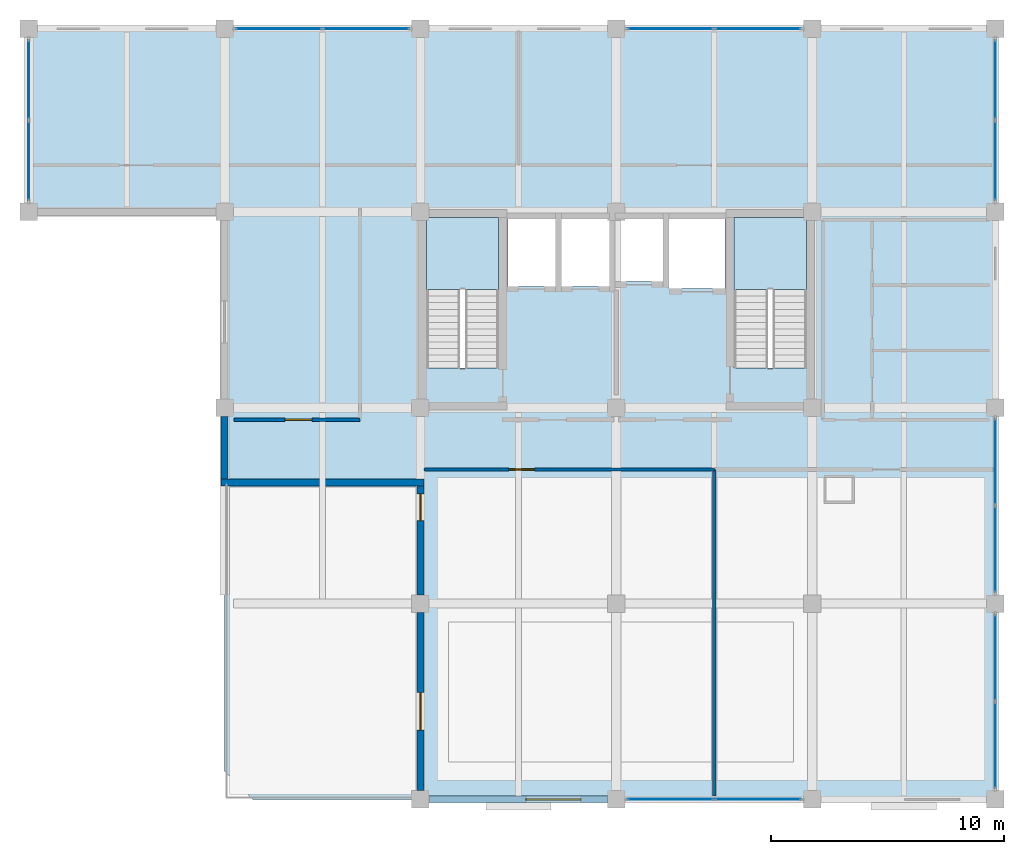
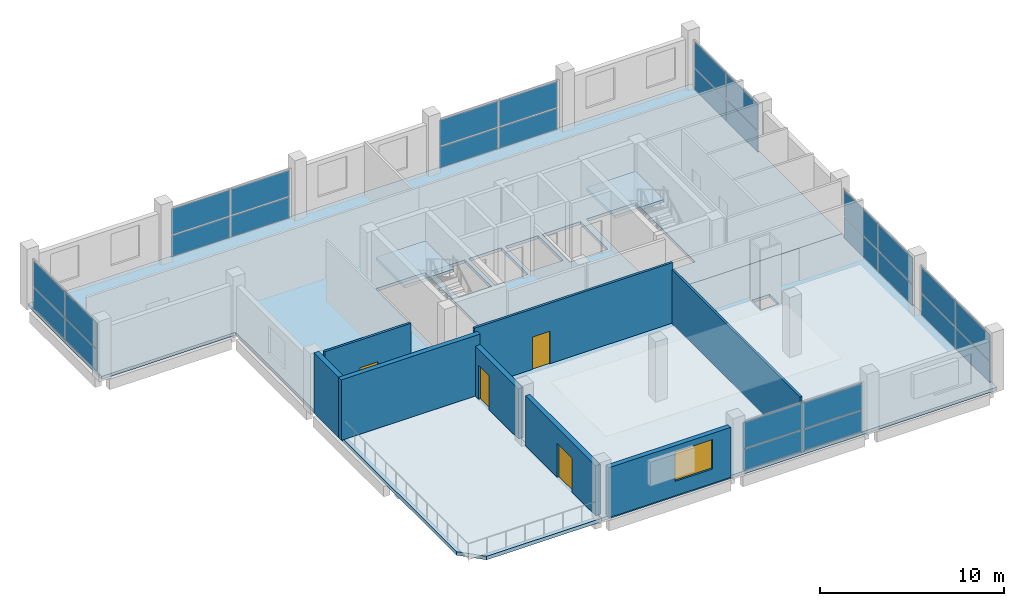
# One storey, part 6 of 10: 28 plates, 8 walls, 5 slabs, 4 doors, 1 window, 5 openings, 9 elements without a shape of their own.
"""IFC4 building model written with IfcOpenShell, lengths in metres."""

from ifc_helpers import new_model, si_unit, direction, frame, frame_2d, origin, origin_2d, place, context, subcontext, project, spatial, polyline, rectangle, outline, extrude, material, layer, layer_set, type_object, element, fill, aggregate, save


model = new_model("IFC4")

# Units and contexts
model_context = context("Model", 3, precision=1e-05, world=origin(), true_north=direction((0.0, 1.0)))
body_context = subcontext(model_context, "Body", "Model", "MODEL_VIEW")
ifc_project = project(units=[si_unit("LENGTHUNIT", "METRE"), si_unit("AREAUNIT", "SQUARE_METRE"), si_unit("VOLUMEUNIT", "CUBIC_METRE"), si_unit("PLANEANGLEUNIT", "RADIAN"), si_unit("MASSUNIT", "GRAM", prefix="KILO")], contexts=[model_context])

# Site, building, storey
site_placement = place(None, origin())
site = spatial("IfcSite", under=ifc_project, at=site_placement, CompositionType="ELEMENT")
building_placement = place(site_placement, origin())
building = spatial("IfcBuilding", under=site, at=building_placement, Name="Brinegate Botanical Conservatory", CompositionType="ELEMENT")
storey_placement = place(building_placement, frame((0.0, 0.0, 44.39990234375)))
storey = spatial("IfcBuildingStorey", under=building, at=storey_placement, Name="L11", CompositionType="ELEMENT", Elevation=44.39990234375)

# Curtain wall, plates
ifc_material_1 = material(Name="Thermally broken anodised aluminium AW-6063-T6", Category="aluminium")
curtain_wall_type = type_object("IfcCurtainWallType", Name="CW_CW-TW1", PredefinedType="USERDEFINED", material=ifc_material_1)
curtain_wall_1_placement = place(storey_placement, origin())
curtain_wall_1 = element("IfcCurtainWall", 1, at=curtain_wall_1_placement, inside=storey, type_object=curtain_wall_type, Name="Research lab north curtain wall L11.2", ObjectType="FACTORY CURTAIN WALL", PredefinedType="USERDEFINED")
ifc_material_2 = material(Name="Double-silver Low-E laminated safety glass", Category="glass")
ifc_layer_1 = layer(ifc_material_2, 0.035888671875, Name="Double-silver Low-E laminated safety glass", Category="glass")
ifc_layer_set_1 = layer_set([ifc_layer_1], Name="Double-silver Low-E laminated safety glass")
plate_type = type_object("IfcPlateType", Name="Plate_PN-36", PredefinedType="CURTAIN_PANEL", material=ifc_layer_set_1)
plate_1_placement = place(storey_placement, frame((132.72509765625, 111.449951171875, 0.0703125), z_axis=(0.0, 0.0, 1.0), x_axis=(1.0, 0.0, 0.0)))
plate_1 = element("IfcPlate", 2, at=plate_1_placement, type_object=plate_type, Name="CW-TW1 panel 1.1", PredefinedType="CURTAIN_PANEL", context=body_context, shape_type="SweptSolid", body=[
    extrude(rectangle(XDim=3.679931640625, YDim=0.035888671875, at=origin_2d()), origin(), (0.0, 0.0, 1.0), 1.384033203125),
])
plate_2_placement = place(storey_placement, frame((132.72509765625, 111.449951171875, 1.52392578125), z_axis=(0.0, 0.0, 1.0), x_axis=(1.0, 0.0, 0.0)))
plate_2 = element("IfcPlate", 3, at=plate_2_placement, type_object=plate_type, Name="CW-TW1 panel 1.2", PredefinedType="CURTAIN_PANEL", context=body_context, shape_type="SweptSolid", body=[
    extrude(rectangle(XDim=3.679931640625, YDim=0.035888671875, at=origin_2d()), origin(), (0.0, 0.0, 1.0), 1.716064453125),
])
plate_3_placement = place(storey_placement, frame((136.47509765625, 111.449951171875, 0.0703125), z_axis=(0.0, 0.0, 1.0), x_axis=(1.0, 0.0, 0.0)))
plate_3 = element("IfcPlate", 4, at=plate_3_placement, type_object=plate_type, Name="CW-TW1 panel 2.1", PredefinedType="CURTAIN_PANEL", context=body_context, shape_type="SweptSolid", body=[
    extrude(rectangle(XDim=3.679931640625, YDim=0.035888671875, at=origin_2d()), origin(), (0.0, 0.0, 1.0), 1.384033203125),
])
plate_4_placement = place(storey_placement, frame((136.47509765625, 111.449951171875, 1.52392578125), z_axis=(0.0, 0.0, 1.0), x_axis=(1.0, 0.0, 0.0)))
plate_4 = element("IfcPlate", 5, at=plate_4_placement, type_object=plate_type, Name="CW-TW1 panel 2.2", PredefinedType="CURTAIN_PANEL", context=body_context, shape_type="SweptSolid", body=[
    extrude(rectangle(XDim=3.679931640625, YDim=0.035888671875, at=origin_2d()), origin(), (0.0, 0.0, 1.0), 1.716064453125),
])
aggregate(curtain_wall_1, [plate_1, plate_2, plate_3, plate_4])

curtain_wall_2_placement = place(storey_placement, origin())
curtain_wall_2 = element("IfcCurtainWall", 6, at=curtain_wall_2_placement, inside=storey, type_object=curtain_wall_type, Name="Research lab north curtain wall L11.4", ObjectType="FACTORY CURTAIN WALL", PredefinedType="USERDEFINED")
plate_5_placement = place(storey_placement, frame((149.52490234375, 111.449951171875, 0.0703125), z_axis=(0.0, 0.0, 1.0), x_axis=(1.0, 0.0, 0.0)))
plate_5 = element("IfcPlate", 7, at=plate_5_placement, type_object=plate_type, Name="CW-TW1 panel 1.1", PredefinedType="CURTAIN_PANEL", context=body_context, shape_type="SweptSolid", body=[
    extrude(rectangle(XDim=3.679931640625, YDim=0.035888671875, at=origin_2d()), origin(), (0.0, 0.0, 1.0), 1.384033203125),
])
plate_6_placement = place(storey_placement, frame((149.52490234375, 111.449951171875, 1.52392578125), z_axis=(0.0, 0.0, 1.0), x_axis=(1.0, 0.0, 0.0)))
plate_6 = element("IfcPlate", 8, at=plate_6_placement, type_object=plate_type, Name="CW-TW1 panel 1.2", PredefinedType="CURTAIN_PANEL", context=body_context, shape_type="SweptSolid", body=[
    extrude(rectangle(XDim=3.679931640625, YDim=0.035888671875, at=origin_2d()), origin(), (0.0, 0.0, 1.0), 1.716064453125),
])
plate_7_placement = place(storey_placement, frame((153.27490234375, 111.449951171875, 0.0703125), z_axis=(0.0, 0.0, 1.0), x_axis=(1.0, 0.0, 0.0)))
plate_7 = element("IfcPlate", 9, at=plate_7_placement, type_object=plate_type, Name="CW-TW1 panel 2.1", PredefinedType="CURTAIN_PANEL", context=body_context, shape_type="SweptSolid", body=[
    extrude(rectangle(XDim=3.679931640625, YDim=0.035888671875, at=origin_2d()), origin(), (0.0, 0.0, 1.0), 1.384033203125),
])
plate_8_placement = place(storey_placement, frame((153.27490234375, 111.449951171875, 1.52392578125), z_axis=(0.0, 0.0, 1.0), x_axis=(1.0, 0.0, 0.0)))
plate_8 = element("IfcPlate", 10, at=plate_8_placement, type_object=plate_type, Name="CW-TW1 panel 2.2", PredefinedType="CURTAIN_PANEL", context=body_context, shape_type="SweptSolid", body=[
    extrude(rectangle(XDim=3.679931640625, YDim=0.035888671875, at=origin_2d()), origin(), (0.0, 0.0, 1.0), 1.716064453125),
])
aggregate(curtain_wall_2, [plate_5, plate_6, plate_7, plate_8])

curtain_wall_3_placement = place(storey_placement, origin())
curtain_wall_3 = element("IfcCurtainWall", 11, at=curtain_wall_3_placement, inside=storey, type_object=curtain_wall_type, Name="Tower south curtain wall L11.2", ObjectType="FACTORY CURTAIN WALL", PredefinedType="USERDEFINED")
plate_9_placement = place(storey_placement, frame((153.27490234375, 78.39990234375, 0.0703125), z_axis=(0.0, 0.0, 1.0), x_axis=(-1.0, 0.0, 0.0)))
plate_9 = element("IfcPlate", 12, at=plate_9_placement, type_object=plate_type, Name="CW-TW1 panel 1.1", PredefinedType="CURTAIN_PANEL", context=body_context, shape_type="SweptSolid", body=[
    extrude(rectangle(XDim=3.679931640625, YDim=0.035888671875, at=origin_2d()), origin(), (0.0, 0.0, 1.0), 1.384033203125),
])
plate_10_placement = place(storey_placement, frame((153.27490234375, 78.39990234375, 1.52392578125), z_axis=(0.0, 0.0, 1.0), x_axis=(-1.0, 0.0, 0.0)))
plate_10 = element("IfcPlate", 13, at=plate_10_placement, type_object=plate_type, Name="CW-TW1 panel 1.2", PredefinedType="CURTAIN_PANEL", context=body_context, shape_type="SweptSolid", body=[
    extrude(rectangle(XDim=3.679931640625, YDim=0.035888671875, at=origin_2d()), origin(), (0.0, 0.0, 1.0), 1.716064453125),
])
plate_11_placement = place(storey_placement, frame((149.52490234375, 78.39990234375, 0.0703125), z_axis=(0.0, 0.0, 1.0), x_axis=(-1.0, 0.0, 0.0)))
plate_11 = element("IfcPlate", 14, at=plate_11_placement, type_object=plate_type, Name="CW-TW1 panel 2.1", PredefinedType="CURTAIN_PANEL", context=body_context, shape_type="SweptSolid", body=[
    extrude(rectangle(XDim=3.679931640625, YDim=0.035888671875, at=origin_2d()), origin(), (0.0, 0.0, 1.0), 1.384033203125),
])
plate_12_placement = place(storey_placement, frame((149.52490234375, 78.39990234375, 1.52392578125), z_axis=(0.0, 0.0, 1.0), x_axis=(-1.0, 0.0, 0.0)))
plate_12 = element("IfcPlate", 15, at=plate_12_placement, type_object=plate_type, Name="CW-TW1 panel 2.2", PredefinedType="CURTAIN_PANEL", context=body_context, shape_type="SweptSolid", body=[
    extrude(rectangle(XDim=3.679931640625, YDim=0.035888671875, at=origin_2d()), origin(), (0.0, 0.0, 1.0), 1.716064453125),
])
aggregate(curtain_wall_3, [plate_9, plate_10, plate_11, plate_12])

curtain_wall_4_placement = place(storey_placement, origin())
curtain_wall_4 = element("IfcCurtainWall", 16, at=curtain_wall_4_placement, inside=storey, type_object=curtain_wall_type, Name="Tower east curtain wall L11.1", ObjectType="FACTORY CURTAIN WALL", PredefinedType="USERDEFINED")
plate_13_placement = place(storey_placement, frame((163.449951171875, 84.47509765625, 0.0703125), z_axis=(0.0, 0.0, 1.0), x_axis=(0.0, -1.0, 0.0)))
plate_13 = element("IfcPlate", 17, at=plate_13_placement, type_object=plate_type, Name="CW-TW1 panel 1.1", PredefinedType="CURTAIN_PANEL", context=body_context, shape_type="SweptSolid", body=[
    extrude(rectangle(XDim=3.679931640625, YDim=0.035888671875, at=origin_2d()), origin(), (0.0, 0.0, 1.0), 1.384033203125),
])
plate_14_placement = place(storey_placement, frame((163.449951171875, 84.47509765625, 1.52392578125), z_axis=(0.0, 0.0, 1.0), x_axis=(0.0, -1.0, 0.0)))
plate_14 = element("IfcPlate", 18, at=plate_14_placement, type_object=plate_type, Name="CW-TW1 panel 1.2", PredefinedType="CURTAIN_PANEL", context=body_context, shape_type="SweptSolid", body=[
    extrude(rectangle(XDim=3.679931640625, YDim=0.035888671875, at=origin_2d()), origin(), (0.0, 0.0, 1.0), 1.716064453125),
])
plate_15_placement = place(storey_placement, frame((163.449951171875, 80.72509765625, 0.0703125), z_axis=(0.0, 0.0, 1.0), x_axis=(0.0, -1.0, 0.0)))
plate_15 = element("IfcPlate", 19, at=plate_15_placement, type_object=plate_type, Name="CW-TW1 panel 2.1", PredefinedType="CURTAIN_PANEL", context=body_context, shape_type="SweptSolid", body=[
    extrude(rectangle(XDim=3.679931640625, YDim=0.035888671875, at=origin_2d()), origin(), (0.0, 0.0, 1.0), 1.384033203125),
])
plate_16_placement = place(storey_placement, frame((163.449951171875, 80.72509765625, 1.52392578125), z_axis=(0.0, 0.0, 1.0), x_axis=(0.0, -1.0, 0.0)))
plate_16 = element("IfcPlate", 20, at=plate_16_placement, type_object=plate_type, Name="CW-TW1 panel 2.2", PredefinedType="CURTAIN_PANEL", context=body_context, shape_type="SweptSolid", body=[
    extrude(rectangle(XDim=3.679931640625, YDim=0.035888671875, at=origin_2d()), origin(), (0.0, 0.0, 1.0), 1.716064453125),
])
aggregate(curtain_wall_4, [plate_13, plate_14, plate_15, plate_16])

curtain_wall_5_placement = place(storey_placement, origin())
curtain_wall_5 = element("IfcCurtainWall", 21, at=curtain_wall_5_placement, inside=storey, type_object=curtain_wall_type, Name="Tower east curtain wall L11.2", ObjectType="FACTORY CURTAIN WALL", PredefinedType="USERDEFINED")
plate_17_placement = place(storey_placement, frame((163.449951171875, 92.875, 0.0703125), z_axis=(0.0, 0.0, 1.0), x_axis=(0.0, -1.0, 0.0)))
plate_17 = element("IfcPlate", 22, at=plate_17_placement, type_object=plate_type, Name="CW-TW1 panel 1.1", PredefinedType="CURTAIN_PANEL", context=body_context, shape_type="SweptSolid", body=[
    extrude(rectangle(XDim=3.679931640625, YDim=0.035888671875, at=origin_2d()), origin(), (0.0, 0.0, 1.0), 1.384033203125),
])
plate_18_placement = place(storey_placement, frame((163.449951171875, 92.875, 1.52392578125), z_axis=(0.0, 0.0, 1.0), x_axis=(0.0, -1.0, 0.0)))
plate_18 = element("IfcPlate", 23, at=plate_18_placement, type_object=plate_type, Name="CW-TW1 panel 1.2", PredefinedType="CURTAIN_PANEL", context=body_context, shape_type="SweptSolid", body=[
    extrude(rectangle(XDim=3.679931640625, YDim=0.035888671875, at=origin_2d()), origin(), (0.0, 0.0, 1.0), 1.716064453125),
])
plate_19_placement = place(storey_placement, frame((163.449951171875, 89.125, 0.0703125), z_axis=(0.0, 0.0, 1.0), x_axis=(0.0, -1.0, 0.0)))
plate_19 = element("IfcPlate", 24, at=plate_19_placement, type_object=plate_type, Name="CW-TW1 panel 2.1", PredefinedType="CURTAIN_PANEL", context=body_context, shape_type="SweptSolid", body=[
    extrude(rectangle(XDim=3.679931640625, YDim=0.035888671875, at=origin_2d()), origin(), (0.0, 0.0, 1.0), 1.384033203125),
])
plate_20_placement = place(storey_placement, frame((163.449951171875, 89.125, 1.52392578125), z_axis=(0.0, 0.0, 1.0), x_axis=(0.0, -1.0, 0.0)))
plate_20 = element("IfcPlate", 25, at=plate_20_placement, type_object=plate_type, Name="CW-TW1 panel 2.2", PredefinedType="CURTAIN_PANEL", context=body_context, shape_type="SweptSolid", body=[
    extrude(rectangle(XDim=3.679931640625, YDim=0.035888671875, at=origin_2d()), origin(), (0.0, 0.0, 1.0), 1.716064453125),
])
aggregate(curtain_wall_5, [plate_17, plate_18, plate_19, plate_20])

curtain_wall_6_placement = place(storey_placement, origin())
curtain_wall_6 = element("IfcCurtainWall", 26, at=curtain_wall_6_placement, inside=storey, type_object=curtain_wall_type, Name="Tower east curtain wall L11.4", ObjectType="FACTORY CURTAIN WALL", PredefinedType="USERDEFINED")
plate_21_placement = place(storey_placement, frame((163.449951171875, 109.262451171875, 0.0703125), z_axis=(0.0, 0.0, 1.0), x_axis=(0.0, -1.0, 0.0)))
plate_21 = element("IfcPlate", 27, at=plate_21_placement, type_object=plate_type, Name="CW-TW1 panel 1.1", PredefinedType="CURTAIN_PANEL", context=body_context, shape_type="SweptSolid", body=[
    extrude(rectangle(XDim=3.405029296875, YDim=0.035888671875, at=origin_2d()), origin(), (0.0, 0.0, 1.0), 1.384033203125),
])
plate_22_placement = place(storey_placement, frame((163.449951171875, 109.262451171875, 1.52392578125), z_axis=(0.0, 0.0, 1.0), x_axis=(0.0, -1.0, 0.0)))
plate_22 = element("IfcPlate", 28, at=plate_22_placement, type_object=plate_type, Name="CW-TW1 panel 1.2", PredefinedType="CURTAIN_PANEL", context=body_context, shape_type="SweptSolid", body=[
    extrude(rectangle(XDim=3.405029296875, YDim=0.035888671875, at=origin_2d()), origin(), (0.0, 0.0, 1.0), 1.716064453125),
])
plate_23_placement = place(storey_placement, frame((163.449951171875, 105.78759765625, 0.0703125), z_axis=(0.0, 0.0, 1.0), x_axis=(0.0, -1.0, 0.0)))
plate_23 = element("IfcPlate", 29, at=plate_23_placement, type_object=plate_type, Name="CW-TW1 panel 2.1", PredefinedType="CURTAIN_PANEL", context=body_context, shape_type="SweptSolid", body=[
    extrude(rectangle(XDim=3.405029296875, YDim=0.035888671875, at=origin_2d()), origin(), (0.0, 0.0, 1.0), 1.384033203125),
])
plate_24_placement = place(storey_placement, frame((163.449951171875, 105.78759765625, 1.52392578125), z_axis=(0.0, 0.0, 1.0), x_axis=(0.0, -1.0, 0.0)))
plate_24 = element("IfcPlate", 30, at=plate_24_placement, type_object=plate_type, Name="CW-TW1 panel 2.2", PredefinedType="CURTAIN_PANEL", context=body_context, shape_type="SweptSolid", body=[
    extrude(rectangle(XDim=3.405029296875, YDim=0.035888671875, at=origin_2d()), origin(), (0.0, 0.0, 1.0), 1.716064453125),
])
aggregate(curtain_wall_6, [plate_21, plate_22, plate_23, plate_24])

curtain_wall_7_placement = place(storey_placement, origin())
curtain_wall_7 = element("IfcCurtainWall", 31, at=curtain_wall_7_placement, inside=storey, type_object=curtain_wall_type, Name="Tower north-west curtain wall L11", ObjectType="FACTORY CURTAIN WALL", PredefinedType="USERDEFINED")
plate_25_placement = place(storey_placement, frame((122.0, 105.78759765625, 0.0703125), z_axis=(0.0, 0.0, 1.0), x_axis=(0.0, 1.0, 0.0)))
plate_25 = element("IfcPlate", 32, at=plate_25_placement, type_object=plate_type, Name="CW-TW1 panel 1.1", PredefinedType="CURTAIN_PANEL", context=body_context, shape_type="SweptSolid", body=[
    extrude(rectangle(XDim=3.405029296875, YDim=0.035888671875, at=origin_2d()), origin(), (0.0, 0.0, 1.0), 1.384033203125),
])
plate_26_placement = place(storey_placement, frame((122.0, 105.78759765625, 1.52392578125), z_axis=(0.0, 0.0, 1.0), x_axis=(0.0, 1.0, 0.0)))
plate_26 = element("IfcPlate", 33, at=plate_26_placement, type_object=plate_type, Name="CW-TW1 panel 1.2", PredefinedType="CURTAIN_PANEL", context=body_context, shape_type="SweptSolid", body=[
    extrude(rectangle(XDim=3.405029296875, YDim=0.035888671875, at=origin_2d()), origin(), (0.0, 0.0, 1.0), 1.716064453125),
])
plate_27_placement = place(storey_placement, frame((122.0, 109.262451171875, 0.0703125), z_axis=(0.0, 0.0, 1.0), x_axis=(0.0, 1.0, 0.0)))
plate_27 = element("IfcPlate", 34, at=plate_27_placement, type_object=plate_type, Name="CW-TW1 panel 2.1", PredefinedType="CURTAIN_PANEL", context=body_context, shape_type="SweptSolid", body=[
    extrude(rectangle(XDim=3.405029296875, YDim=0.035888671875, at=origin_2d()), origin(), (0.0, 0.0, 1.0), 1.384033203125),
])
plate_28_placement = place(storey_placement, frame((122.0, 109.262451171875, 1.52392578125), z_axis=(0.0, 0.0, 1.0), x_axis=(0.0, 1.0, 0.0)))
plate_28 = element("IfcPlate", 35, at=plate_28_placement, type_object=plate_type, Name="CW-TW1 panel 2.2", PredefinedType="CURTAIN_PANEL", context=body_context, shape_type="SweptSolid", body=[
    extrude(rectangle(XDim=3.405029296875, YDim=0.035888671875, at=origin_2d()), origin(), (0.0, 0.0, 1.0), 1.716064453125),
])
aggregate(curtain_wall_7, [plate_25, plate_26, plate_27, plate_28])

# Slabs
ifc_material_3 = material(Name="Concrete C40/50", Category="concrete")
ifc_layer_2 = layer(ifc_material_3, 0.199951171875, Name="Concrete C40/50", Category="concrete")
ifc_layer_set_2 = layer_set([ifc_layer_2], Name="Concrete C40/50")
slab_type_1 = type_object("IfcSlabType", Name="Slab_SL-FL200", PredefinedType="FLOOR", material=ifc_layer_set_2)
slab_1_placement = place(storey_placement, frame((0.0, 0.0, -0.199951171875)))
element("IfcSlab", 36, at=slab_1_placement, inside=storey, type_object=slab_type_1, Name="Research Tower L11 north structural floor slab", PredefinedType="FLOOR", context=body_context, shape_type="SweptSolid", body=[
    extrude(outline(polyline([(130.39990234375, 103.60009765625), (122.0, 103.60009765625), (122.0, 111.60009765625), (163.60009765625, 111.60009765625), (163.60009765625, 95.199951171875), (130.39990234375, 95.199951171875), (130.39990234375, 103.60009765625)]), holes=[polyline([(142.14990234375, 96.89990234375), (142.14990234375, 103.35009765625), (139.050048828125, 103.35009765625), (139.050048828125, 96.89990234375), (142.14990234375, 96.89990234375)]), polyline([(155.35009765625, 96.89990234375), (155.35009765625, 103.35009765625), (152.25, 103.35009765625), (152.25, 96.89990234375), (155.35009765625, 96.89990234375)]), polyline([(142.550048828125, 100.39990234375), (144.60009765625, 100.39990234375), (144.60009765625, 103.300048828125), (142.550048828125, 103.300048828125), (142.550048828125, 100.39990234375)]), polyline([(144.85009765625, 100.39990234375), (146.89990234375, 100.39990234375), (146.89990234375, 103.300048828125), (144.85009765625, 103.300048828125), (144.85009765625, 100.39990234375)]), polyline([(147.14990234375, 100.60009765625), (149.199951171875, 100.60009765625), (149.199951171875, 103.300048828125), (147.14990234375, 103.300048828125), (147.14990234375, 100.60009765625)]), polyline([(149.449951171875, 100.300048828125), (151.85009765625, 100.300048828125), (151.85009765625, 103.300048828125), (149.449951171875, 103.300048828125), (149.449951171875, 100.300048828125)])]), origin(), (0.0, 0.0, 1.0), 0.199951171875),
])
slab_2_placement = place(storey_placement, frame((0.0, 0.0, -0.199951171875)))
element("IfcSlab", 37, at=slab_2_placement, inside=storey, type_object=slab_type_1, Name="Research Tower L11 south structural floor slab", PredefinedType="FLOOR", context=body_context, shape_type="SweptSolid", body=[
    extrude(outline(polyline([(163.60009765625, 78.39990234375), (138.800048828125, 78.39990234375), (138.800048828125, 92.0), (130.39990234375, 92.0), (130.39990234375, 95.199951171875), (163.60009765625, 95.199951171875), (163.60009765625, 78.39990234375)]), holes=[polyline([(156.199951171875, 91.199951171875), (157.300048828125, 91.199951171875), (157.300048828125, 92.199951171875), (156.199951171875, 92.199951171875), (156.199951171875, 91.199951171875)])]), origin(), (0.0, 0.0, 1.0), 0.199951171875),
])

# Stair, slab
stair_type = type_object("IfcStairType", Name="Stair_HT-4200", PredefinedType="HALF_TURN_STAIR", material=ifc_material_3)
stair_1_placement = place(storey_placement, origin())
stair_1 = element("IfcStair", 38, at=stair_1_placement, inside=storey, type_object=stair_type, Name="L11 Tower West Smoke-Proof Stair ST1", PredefinedType="HALF_TURN_STAIR")
ifc_layer_3 = layer(ifc_material_3, 0.199951171875, Name="Concrete C40/50", Category="concrete")
ifc_layer_set_3 = layer_set([ifc_layer_3], Name="Concrete C40/50")
slab_type_2 = type_object("IfcSlabType", Name="Slab_SL-LD200", PredefinedType="LANDING", material=ifc_layer_set_3)
slab_3_placement = place(storey_placement, frame((0.0, 0.0, 1.900146484375)))
slab_3 = element("IfcSlab", 39, at=slab_3_placement, type_object=slab_type_2, Name="ST1 landing 1", PredefinedType="LANDING", context=body_context, shape_type="SweptSolid", body=[
    extrude(outline(polyline([(142.14990234375, 100.260009765625), (142.14990234375, 103.35009765625), (139.050048828125, 103.35009765625), (139.050048828125, 100.260009765625), (142.14990234375, 100.260009765625)])), origin(), (0.0, 0.0, 1.0), 0.199951171875),
])
aggregate(stair_1, [slab_3])

stair_2_placement = place(storey_placement, origin())
stair_2 = element("IfcStair", 40, at=stair_2_placement, inside=storey, type_object=stair_type, Name="L11 Tower East Smoke-Proof Stair ST2", PredefinedType="HALF_TURN_STAIR")
slab_4_placement = place(storey_placement, frame((0.0, 0.0, 1.900146484375)))
slab_4 = element("IfcSlab", 41, at=slab_4_placement, type_object=slab_type_2, Name="ST2 landing 1", PredefinedType="LANDING", context=body_context, shape_type="SweptSolid", body=[
    extrude(outline(polyline([(155.35009765625, 100.260009765625), (155.35009765625, 103.35009765625), (152.25, 103.35009765625), (152.25, 100.260009765625), (155.35009765625, 100.260009765625)])), origin(), (0.0, 0.0, 1.0), 0.199951171875),
])
aggregate(stair_2, [slab_4])

# Slab
ifc_layer_4 = layer(ifc_material_3, 0.238037109375, Name="Concrete C40/50", Category="concrete")
ifc_layer_set_4 = layer_set([ifc_layer_4], Name="Concrete C40/50")
slab_type_3 = type_object("IfcSlabType", Name="Slab_SL-TR210", PredefinedType="FLOOR", material=ifc_layer_set_4)
slab_5_placement = place(storey_placement, frame((0.0, 0.0, -0.23779296875)))
element("IfcSlab", 42, at=slab_5_placement, inside=storey, type_object=slab_type_3, Name="Botanical Setback Terrace L11 slab", PredefinedType="FLOOR", context=body_context, shape_type="SweptSolid", body=[
    extrude(outline(polyline([(131.60009765625, 78.39990234375), (138.800048828125, 78.39990234375), (138.800048828125, 92.0), (130.39990234375, 92.0), (130.39990234375, 79.60009765625), (131.60009765625, 78.39990234375)])), origin(), (0.0, 0.0, 1.0), 0.23779296875),
])

# Wall, opening, window
ifc_material_4 = material(Name="Insulated Minnan red clay brick masonry", Category="masonry")
ifc_layer_5 = layer(ifc_material_4, 0.300048828125, Name="Insulated Minnan red clay brick masonry", Category="masonry")
ifc_layer_set_5 = layer_set([ifc_layer_5], Name="Insulated Minnan red clay brick masonry")
wall_type_1 = type_object("IfcWallType", Name="Wall_EW-300B", PredefinedType="STANDARD", material=ifc_layer_set_5)
wall_1_placement = place(storey_placement, frame((146.824951171875, 78.39990234375, 0.0), z_axis=(0.0, 0.0, 1.0), x_axis=(-1.0, 0.0, 0.0)))
wall_1 = element("IfcWall", 43, at=wall_1_placement, inside=storey, type_object=wall_type_1, Name="Tower south facade wall L11.1", PredefinedType="STANDARD", context=body_context, shape_type="SweptSolid", body=[
    extrude(rectangle(XDim=7.64990234375, YDim=0.300048828125, at=frame_2d((3.824951171875, 0.0))), origin(), (0.0, 0.0, 1.0), 3.31005859375),
])
opening_1_placement = place(wall_1_placement, frame((1.14990234375, 0.0, 0.949951171875)))
opening_1 = element("IfcOpeningElement", 44, at=opening_1_placement, cuts=wall_1, Name="Opening WN-26", PredefinedType="OPENING", context=body_context, shape_type="SweptSolid", body=[
    extrude(rectangle(XDim=2.35009765625, YDim=1.949951171875, at=frame_2d((1.175048828125, 0.97509765625))), frame((0.0, 0.159912109375, 0.0), z_axis=(0.0, -1.0, 0.0), x_axis=(1.0, 0.0, 0.0)), (0.0, 0.0, 1.0), 0.320068359375),
])
ifc_material_5 = material(Name="Thermally broken aluminium-framed Low-E glass", Category="aluminium")
window_type = type_object("IfcWindowType", Name="Win_WN-26", PartitioningType="TRIPLE_PANEL_VERTICAL", PredefinedType="WINDOW", material=ifc_material_5)
window_placement = place(opening_1_placement, origin())
window = element("IfcWindow", 45, at=window_placement, inside=storey, type_object=window_type, Name="Tower south window L11.1", OverallHeight=1.949951171875, OverallWidth=2.35009765625, PartitioningType="TRIPLE_PANEL_VERTICAL", PredefinedType="WINDOW", context=body_context, shape_type="SweptSolid", body=[
    extrude(rectangle(XDim=2.35009765625, YDim=1.949951171875, at=frame_2d((1.175048828125, 0.97509765625))), frame((0.0, 0.030029296875, 0.0), z_axis=(0.0, -1.0, 0.0), x_axis=(1.0, 0.0, 0.0)), (0.0, 0.0, 1.0), 0.06005859375),
])
fill(opening_1, window)

# Wall
wall_2_placement = place(storey_placement, frame((130.39990234375, 92.14990234375, 0.0), z_axis=(0.0, 0.0, 1.0), x_axis=(0.0, 1.0, 0.0)))
element("IfcWall", 46, at=wall_2_placement, inside=storey, type_object=wall_type_1, Name="Tower west corridor end wall L11", PredefinedType="STANDARD", context=body_context, shape_type="SweptSolid", body=[
    extrude(rectangle(XDim=2.675048828125, YDim=0.300048828125, at=frame_2d((1.33740234375, 0.0))), origin(), (0.0, 0.0, 1.0), 4.010009765625),
])

# Wall, opening, door
wall_3_placement = place(storey_placement, frame((138.800048828125, 78.77490234375, 0.0), z_axis=(0.0, 0.0, 1.0), x_axis=(0.0, 1.0, 0.0)))
wall_3 = element("IfcWall", 47, at=wall_3_placement, inside=storey, type_object=wall_type_1, Name="Tower west wall L11.S1", PredefinedType="STANDARD", context=body_context, shape_type="SweptSolid", body=[
    extrude(rectangle(XDim=7.650146484375, YDim=0.300048828125, at=frame_2d((3.8251953125, 0.0))), origin(), (0.0, 0.0, 1.0), 3.31005859375),
])
opening_2_placement = place(wall_3_placement, frame((2.60009765625, 0.0, 0.0)))
opening_2 = element("IfcOpeningElement", 48, at=opening_2_placement, cuts=wall_3, Name="Opening TD-01", PredefinedType="OPENING", context=body_context, shape_type="SweptSolid", body=[
    extrude(rectangle(XDim=1.60009765625, YDim=2.25, at=frame_2d((0.800048828125, 1.125))), frame((0.0, 0.159912109375, 0.0), z_axis=(0.0, -1.0, 0.0), x_axis=(1.0, 0.0, 0.0)), (0.0, 0.0, 1.0), 0.320068359375),
])
ifc_material_6 = material(Name="Anodised aluminium and laminated safety glass", Category="aluminium")
door_type_1 = type_object("IfcDoorType", Name="Door_TD-01", OperationType="NOTDEFINED", PredefinedType="DOOR", material=ifc_material_6)
door_1_placement = place(opening_2_placement, origin())
door_1 = element("IfcDoor", 49, at=door_1_placement, inside=storey, type_object=door_type_1, Name="DR-TERR-L11-1", OperationType="SINGLE_SWING_LEFT", OverallHeight=2.25, OverallWidth=1.60009765625, PredefinedType="DOOR", context=body_context, shape_type="SweptSolid", body=[
    extrude(rectangle(XDim=1.60009765625, YDim=2.25, at=frame_2d((0.800048828125, 1.125))), frame((0.0, 0.02490234375, 0.0), z_axis=(0.0, -1.0, 0.0), x_axis=(1.0, 0.0, 0.0)), (0.0, 0.0, 1.0), 0.050048828125),
])
fill(opening_2, door_1)

wall_4_placement = place(storey_placement, frame((138.800048828125, 87.175048828125, 0.0), z_axis=(0.0, 0.0, 1.0), x_axis=(0.0, 1.0, 0.0)))
wall_4 = element("IfcWall", 50, at=wall_4_placement, inside=storey, type_object=wall_type_1, Name="Tower west wall L11.S2", PredefinedType="STANDARD", context=body_context, shape_type="SweptSolid", body=[
    extrude(rectangle(XDim=4.675048828125, YDim=0.300048828125, at=frame_2d((2.33740234375, 0.0))), origin(), (0.0, 0.0, 1.0), 3.31005859375),
])
opening_3_placement = place(wall_4_placement, frame((3.175048828125, 0.0, 0.0)))
opening_3 = element("IfcOpeningElement", 51, at=opening_3_placement, cuts=wall_4, Name="Opening TD-02", PredefinedType="OPENING", context=body_context, shape_type="SweptSolid", body=[
    extrude(rectangle(XDim=1.14990234375, YDim=2.25, at=frame_2d((0.574951171875, 1.125))), frame((0.0, 0.159912109375, 0.0), z_axis=(0.0, -1.0, 0.0), x_axis=(1.0, 0.0, 0.0)), (0.0, 0.0, 1.0), 0.320068359375),
])
door_type_2 = type_object("IfcDoorType", Name="Door_TD-02", OperationType="NOTDEFINED", PredefinedType="DOOR", material=ifc_material_6)
door_2_placement = place(opening_3_placement, origin())
door_2 = element("IfcDoor", 52, at=door_2_placement, inside=storey, type_object=door_type_2, Name="DR-TERR-L11-2", OperationType="SINGLE_SWING_LEFT", OverallHeight=2.25, OverallWidth=1.14990234375, PredefinedType="DOOR", context=body_context, shape_type="SweptSolid", body=[
    extrude(rectangle(XDim=1.14990234375, YDim=2.25, at=frame_2d((0.574951171875, 1.125))), frame((0.0, 0.02490234375, 0.0), z_axis=(0.0, -1.0, 0.0), x_axis=(1.0, 0.0, 0.0)), (0.0, 0.0, 1.0), 0.050048828125),
])
fill(opening_3, door_2)

# Walls
wall_5_placement = place(storey_placement, frame((138.949951171875, 92.0, 0.0), z_axis=(0.0, 0.0, 1.0), x_axis=(-1.0, 0.0, 0.0)))
element("IfcWall", 53, at=wall_5_placement, inside=storey, type_object=wall_type_1, Name="Tower loggia setback return wall L11", PredefinedType="STANDARD", context=body_context, shape_type="SweptSolid", body=[
    extrude(rectangle(XDim=8.699951171875, YDim=0.300048828125, at=frame_2d((4.35009765625, 0.0))), origin(), (0.0, 0.0, 1.0), 4.010009765625),
])
ifc_material_7 = material(Name="Gypsum-clad steel-stud partition", Category="steel")
ifc_layer_6 = layer(ifc_material_7, 0.135009765625, Name="Gypsum-clad steel-stud partition", Category="steel")
ifc_layer_set_6 = layer_set([ifc_layer_6], Name="Gypsum-clad steel-stud partition")
wall_type_2 = type_object("IfcWallType", Name="Wall_PW-135", PredefinedType="PARTITIONING", material=ifc_layer_set_6)
wall_6_placement = place(storey_placement, frame((151.39990234375, 78.550048828125, 0.0), z_axis=(0.0, 0.0, 1.0), x_axis=(0.0, 1.0, 0.0)))
element("IfcWall", 54, at=wall_6_placement, inside=storey, type_object=wall_type_2, Name="Interior partition P-L11-SDIV-S2", PredefinedType="PARTITIONING", context=body_context, shape_type="SweptSolid", body=[
    extrude(rectangle(XDim=14.0, YDim=0.135009765625, at=frame_2d((7.0, 0.0))), origin(), (0.0, 0.0, 1.0), 3.56005859375),
])

# Wall, opening, door
ifc_material_8 = material(Name="Gypsum-clad acoustic steel-stud partition", Category="steel")
ifc_layer_7 = layer(ifc_material_8, 0.14501953125, Name="Gypsum-clad acoustic steel-stud partition", Category="steel")
ifc_layer_set_7 = layer_set([ifc_layer_7], Name="Gypsum-clad acoustic steel-stud partition")
wall_type_3 = type_object("IfcWallType", Name="Wall_PW-150", PredefinedType="PARTITIONING", material=ifc_layer_set_7)
wall_7_placement = place(storey_placement, frame((130.800048828125, 94.679931640625, 0.0), z_axis=(0.0, 0.0, 1.0), x_axis=(1.0, 0.0, 0.0)))
wall_7 = element("IfcWall", 55, at=wall_7_placement, inside=storey, type_object=wall_type_3, Name="Interior partition P-L11-MIDW-S", PredefinedType="PARTITIONING", context=body_context, shape_type="SweptSolid", body=[
    extrude(rectangle(XDim=5.39990234375, YDim=0.14501953125, at=frame_2d((2.699951171875, 0.0))), origin(), (0.0, 0.0, 1.0), 4.010009765625),
])
opening_4_placement = place(wall_7_placement, frame((2.199951171875, 0.0, 0.0)))
opening_4 = element("IfcOpeningElement", 56, at=opening_4_placement, cuts=wall_7, Name="Opening DR-17", PredefinedType="OPENING", context=body_context, shape_type="SweptSolid", body=[
    extrude(rectangle(XDim=1.139892578125, YDim=2.179931640625, at=frame_2d((0.56982421875, 1.08984375))), frame((0.0, 0.08251953125, 0.0), z_axis=(0.0, -1.0, 0.0), x_axis=(1.0, 0.0, 0.0)), (0.0, 0.0, 1.0), 0.1650390625),
])
ifc_material_9 = material(Name="Hardwood laboratory timber leaf", Category="wood")
door_type_3 = type_object("IfcDoorType", Name="Door_DR-17", OperationType="NOTDEFINED", PredefinedType="DOOR", material=ifc_material_9)
door_3_placement = place(opening_4_placement, origin())
door_3 = element("IfcDoor", 57, at=door_3_placement, inside=storey, type_object=door_type_3, Name="DR-P-L11-MIDW-S-1", OperationType="SINGLE_SWING_RIGHT", OverallHeight=2.179931640625, OverallWidth=1.139892578125, PredefinedType="DOOR", context=body_context, shape_type="SweptSolid", body=[
    extrude(rectangle(XDim=1.139892578125, YDim=2.179931640625, at=frame_2d((0.56982421875, 1.08984375))), frame((0.0, 0.02490234375, 0.0), z_axis=(0.0, -1.0, 0.0), x_axis=(1.0, 0.0, 0.0)), (0.0, 0.0, 1.0), 0.050048828125),
])
fill(opening_4, door_3)

wall_8_placement = place(storey_placement, frame((138.949951171875, 92.550048828125, 0.0), z_axis=(0.0, 0.0, 1.0), x_axis=(1.0, 0.0, 0.0)))
wall_8 = element("IfcWall", 58, at=wall_8_placement, inside=storey, type_object=wall_type_3, Name="Interior partition P-L11-SB-S1", PredefinedType="PARTITIONING", context=body_context, shape_type="SweptSolid", body=[
    extrude(rectangle(XDim=12.449951171875, YDim=0.14501953125, at=frame_2d((6.22509765625, 0.0))), origin(), (0.0, 0.0, 1.0), 4.010009765625),
])
opening_5_placement = place(wall_8_placement, frame((3.64990234375, 0.0, 0.0)))
opening_5 = element("IfcOpeningElement", 59, at=opening_5_placement, cuts=wall_8, Name="Opening DR-01", PredefinedType="OPENING", context=body_context, shape_type="SweptSolid", body=[
    extrude(rectangle(XDim=1.080078125, YDim=2.14990234375, at=frame_2d((0.5400390625, 1.074951171875))), frame((0.0, 0.08251953125, 0.0), z_axis=(0.0, -1.0, 0.0), x_axis=(1.0, 0.0, 0.0)), (0.0, 0.0, 1.0), 0.1650390625),
])
ifc_material_10 = material(Name="Hardwood timber acoustic leaf", Category="wood")
door_type_4 = type_object("IfcDoorType", Name="Door_DR-01", OperationType="NOTDEFINED", PredefinedType="DOOR", material=ifc_material_10)
door_4_placement = place(opening_5_placement, origin())
door_4 = element("IfcDoor", 60, at=door_4_placement, inside=storey, type_object=door_type_4, Name="DR-P-L11-SB-S1-1", OperationType="SINGLE_SWING_RIGHT", OverallHeight=2.14990234375, OverallWidth=1.080078125, PredefinedType="DOOR", context=body_context, shape_type="SweptSolid", body=[
    extrude(rectangle(XDim=1.080078125, YDim=2.14990234375, at=frame_2d((0.5400390625, 1.074951171875))), frame((0.0, 0.02490234375, 0.0), z_axis=(0.0, -1.0, 0.0), x_axis=(1.0, 0.0, 0.0)), (0.0, 0.0, 1.0), 0.050048828125),
])
fill(opening_5, door_4)

save(model, "model.ifc")
